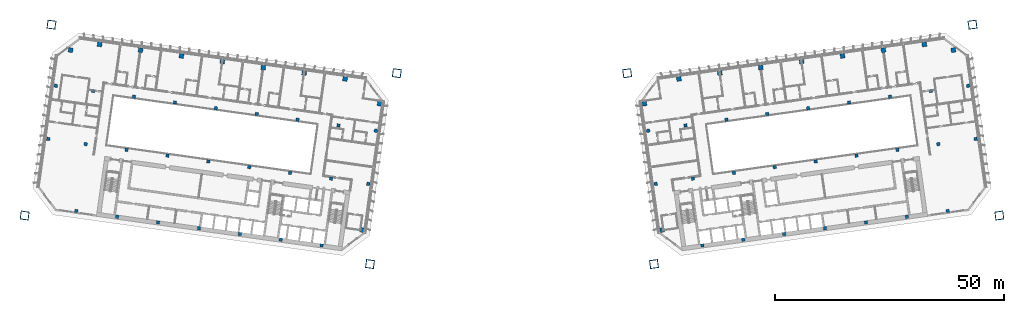
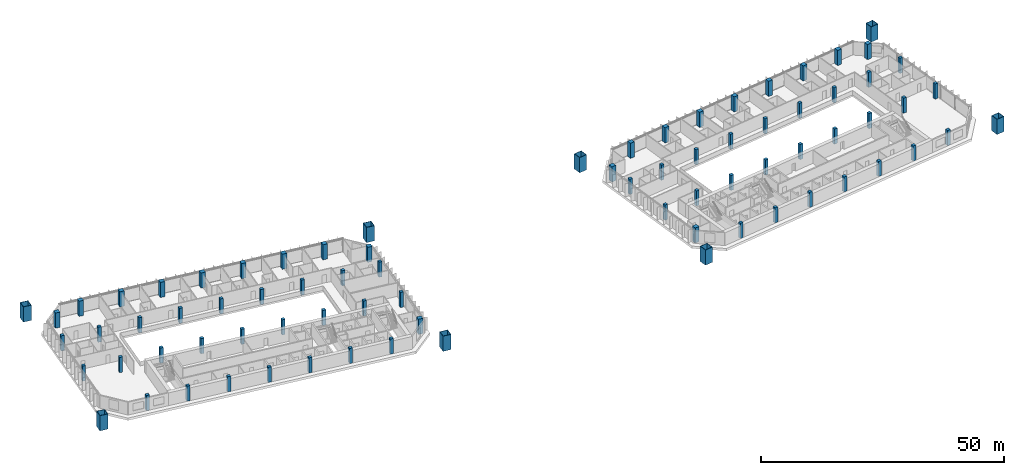
# One storey, part 1 of 24: 78 columns.
"""IFC4 building model written with IfcOpenShell, lengths in metres."""

from ifc_helpers import new_model, si_unit, direction, frame, origin, origin_2d, place, context, subcontext, project, spatial, rectangle, hollow_rectangle, extrude, material, material_profile, profile_set, type_object, element, save


model = new_model("IFC4")

# Units and contexts
model_context = context("Model", 3, precision=1e-05, world=origin(), true_north=direction((0.0, 1.0)))
body_context = subcontext(model_context, "Body", "Model", "MODEL_VIEW")
ifc_project = project(units=[si_unit("LENGTHUNIT", "METRE"), si_unit("AREAUNIT", "SQUARE_METRE"), si_unit("VOLUMEUNIT", "CUBIC_METRE"), si_unit("PLANEANGLEUNIT", "RADIAN"), si_unit("MASSUNIT", "GRAM", prefix="KILO")], contexts=[model_context])

# Site, building, storey
site_placement = place(None, origin())
site = spatial("IfcSite", under=ifc_project, at=site_placement, CompositionType="ELEMENT")
building_placement = place(site_placement, origin())
building = spatial("IfcBuilding", under=site, at=building_placement, Name="Mirante Cascada Hotel Towers", CompositionType="ELEMENT")
storey_placement = place(building_placement, frame((0.0, 0.0, 85.1)))
storey = spatial("IfcBuildingStorey", under=building, at=storey_placement, Name="L18", CompositionType="ELEMENT", Elevation=85.1)

# Columns
ifc_material_1 = material(Name="Steel ASTM A572 Gr 50", Category="steel")
ifc_material_profile_1 = material_profile(ifc_material_1, hollow_rectangle(XDim=1.8, YDim=1.8, WallThickness=0.08, at=origin_2d()), Name="Box column 1800x1800x80 ASTM A572 Gr 50")
ifc_profile_set_1 = profile_set([ifc_material_profile_1], Name="Steel ASTM A572 Gr 50")
column_type_1 = type_object("IfcColumnType", Name="Box column 1800x1800x80 ASTM A572 Gr 50", PredefinedType="COLUMN", material=ifc_profile_set_1)
for number, where, z_axis, x_axis, name in (
    (1, (-25.0968, 18.5173, 0.0), (0.0, 0.0, 1.0), (-0.9902681, 0.1391731, 0.0), "Mega column MC1 T1 L18"),
    (2, (-30.9421, -23.074, 0.0), (0.0, 0.0, 1.0), (-0.9902681, 0.1391731, 0.0), "Mega column MC2 T1 L18"),
    (3, (-100.3572, 29.0944, 0.0), (0.0, 0.0, 1.0), (-0.9902681, 0.1391731, 0.0), "Mega column MC3 T1 L18"),
    (4, (-106.2025, -12.4968, 0.0), (0.0, 0.0, 1.0), (-0.9902681, 0.1391731, 0.0), "Mega column MC4 T1 L18"),
    (5, (25.0968, 18.5173, 0.0), (0.0, 0.0, 1.0), (0.9902681, 0.1391731, 0.0), "Mega column MC1 T2 L18"),
    (6, (30.9421, -23.074, 0.0), (0.0, 0.0, 1.0), (0.9902681, 0.1391731, 0.0), "Mega column MC2 T2 L18"),
    (7, (100.3572, 29.0944, 0.0), (0.0, 0.0, 1.0), (0.9902681, 0.1391731, 0.0), "Mega column MC3 T2 L18"),
    (8, (106.2025, -12.4968, 0.0), (0.0, 0.0, 1.0), (0.9902681, 0.1391731, 0.0), "Mega column MC4 T2 L18"),
):
    element("IfcColumn", number, at=place(storey_placement, frame(where, z_axis=z_axis, x_axis=x_axis)), inside=storey, type_object=column_type_1, Name=name, PredefinedType="COLUMN", context=body_context, shape_type="SweptSolid", body=[
        extrude(hollow_rectangle(XDim=1.8, YDim=1.8, WallThickness=0.08, at=origin_2d()), origin(), (0.0, 0.0, 1.0), 3.8),
    ])
ifc_material_2 = material(Name="Concrete C60/75", Category="concrete")
ifc_material_profile_2 = material_profile(ifc_material_2, rectangle(XDim=1.0, YDim=1.0, at=origin_2d()), Name="RC column 1000x1000 C60/75")
ifc_profile_set_2 = profile_set([ifc_material_profile_2], Name="Concrete C60/75")
column_type_2 = type_object("IfcColumnType", Name="RC column 1000x1000 C60/75", PredefinedType="COLUMN", material=ifc_profile_set_2)
for number, where, z_axis, x_axis, name in (
    (9, (-28.8577, 11.8761, 0.0), (0.0, 0.0, 1.0), (-0.9902681, 0.1391731, 0.0), "Column T1 L18 1"),
    (10, (-32.7267, -15.6534, 0.0), (0.0, 0.0, 1.0), (-0.9902681, 0.1391731, 0.0), "Column T1 L18 4"),
    (11, (-36.3795, 17.2754, 0.0), (0.0, 0.0, 1.0), (-0.9902681, 0.1391731, 0.0), "Column T1 L18 5"),
    (12, (-45.2919, 18.528, 0.0), (0.0, 0.0, 1.0), (-0.9902681, 0.1391731, 0.0), "Column T1 L18 9"),
    (13, (-54.2043, 19.7806, 0.0), (0.0, 0.0, 1.0), (-0.9902681, 0.1391731, 0.0), "Column T1 L18 13"),
    (14, (-63.1167, 21.0331, 0.0), (0.0, 0.0, 1.0), (-0.9902681, 0.1391731, 0.0), "Column T1 L18 17"),
    (15, (-72.0291, 22.2857, 0.0), (0.0, 0.0, 1.0), (-0.9902681, 0.1391731, 0.0), "Column T1 L18 21"),
    (16, (-80.9415, 23.5382, 0.0), (0.0, 0.0, 1.0), (-0.9902681, 0.1391731, 0.0), "Column T1 L18 25"),
    (17, (-89.8539, 24.7908, 0.0), (0.0, 0.0, 1.0), (-0.9902681, 0.1391731, 0.0), "Column T1 L18 29"),
    (18, (-96.1868, 23.5602, 0.0), (0.0, 0.0, 1.0), (-0.9902681, 0.1391731, 0.0), "Column T1 L18 33"),
    (19, (28.8577, 11.8761, 0.0), (0.0, 0.0, 1.0), (0.9902681, 0.1391731, 0.0), "Column T2 L18 1"),
    (20, (32.7267, -15.6534, 0.0), (0.0, 0.0, 1.0), (0.9902681, 0.1391731, 0.0), "Column T2 L18 4"),
    (21, (36.3795, 17.2754, 0.0), (0.0, 0.0, 1.0), (0.9902681, 0.1391731, 0.0), "Column T2 L18 5"),
    (22, (45.2919, 18.528, 0.0), (0.0, 0.0, 1.0), (0.9902681, 0.1391731, 0.0), "Column T2 L18 9"),
    (23, (54.2043, 19.7806, 0.0), (0.0, 0.0, 1.0), (0.9902681, 0.1391731, 0.0), "Column T2 L18 13"),
    (24, (63.1167, 21.0331, 0.0), (0.0, 0.0, 1.0), (0.9902681, 0.1391731, 0.0), "Column T2 L18 17"),
    (25, (72.0291, 22.2857, 0.0), (0.0, 0.0, 1.0), (0.9902681, 0.1391731, 0.0), "Column T2 L18 21"),
    (26, (80.9415, 23.5382, 0.0), (0.0, 0.0, 1.0), (0.9902681, 0.1391731, 0.0), "Column T2 L18 25"),
    (27, (89.8539, 24.7908, 0.0), (0.0, 0.0, 1.0), (0.9902681, 0.1391731, 0.0), "Column T2 L18 29"),
    (28, (96.1868, 23.5602, 0.0), (0.0, 0.0, 1.0), (0.9902681, 0.1391731, 0.0), "Column T2 L18 33"),
):
    element("IfcColumn", number, at=place(storey_placement, frame(where, z_axis=z_axis, x_axis=x_axis)), inside=storey, type_object=column_type_2, Name=name, PredefinedType="COLUMN", context=body_context, shape_type="SweptSolid", body=[
        extrude(rectangle(XDim=1.0, YDim=1.0, at=origin_2d()), origin(), (0.0, 0.0, 1.0), 3.8),
    ])
ifc_material_3 = material(Name="Concrete C60/75", Category="concrete")
ifc_material_profile_3 = material_profile(ifc_material_3, rectangle(XDim=0.7, YDim=0.7, at=origin_2d()), Name="RC column 700x700 C60/75")
ifc_profile_set_3 = profile_set([ifc_material_profile_3], Name="Concrete C60/75")
column_type_3 = type_object("IfcColumnType", Name="RC column 700x700 C60/75", PredefinedType="COLUMN", material=ifc_profile_set_3)
for number, where, z_axis, x_axis, name in (
    (29, (-29.6858, 5.984, 0.0), (0.0, 0.0, 1.0), (-0.9902681, 0.1391731, 0.0), "Column T1 L18 2"),
    (30, (-31.3141, -5.6022, 0.0), (0.0, 0.0, 1.0), (-0.9902681, 0.1391731, 0.0), "Column T1 L18 3"),
    (31, (-37.806, 7.1252, 0.0), (0.0, 0.0, 1.0), (-0.9902681, 0.1391731, 0.0), "Column T1 L18 6"),
    (32, (-39.4343, -4.4609, 0.0), (0.0, 0.0, 1.0), (-0.9902681, 0.1391731, 0.0), "Column T1 L18 7"),
    (33, (-41.4802, -19.0179, 0.0), (0.0, 0.0, 1.0), (-0.9902681, 0.1391731, 0.0), "Column T1 L18 8"),
    (34, (-46.7184, 8.3777, 0.0), (0.0, 0.0, 1.0), (-0.9902681, 0.1391731, 0.0), "Column T1 L18 10"),
    (35, (-48.3467, -3.2084, 0.0), (0.0, 0.0, 1.0), (-0.9902681, 0.1391731, 0.0), "Column T1 L18 11"),
    (36, (-50.3926, -17.7653, 0.0), (0.0, 0.0, 1.0), (-0.9902681, 0.1391731, 0.0), "Column T1 L18 12"),
    (37, (-55.6308, 9.6303, 0.0), (0.0, 0.0, 1.0), (-0.9902681, 0.1391731, 0.0), "Column T1 L18 14"),
    (38, (-57.2591, -1.9558, 0.0), (0.0, 0.0, 1.0), (-0.9902681, 0.1391731, 0.0), "Column T1 L18 15"),
    (39, (-59.305, -16.5128, 0.0), (0.0, 0.0, 1.0), (-0.9902681, 0.1391731, 0.0), "Column T1 L18 16"),
    (40, (-64.5432, 10.8829, 0.0), (0.0, 0.0, 1.0), (-0.9902681, 0.1391731, 0.0), "Column T1 L18 18"),
    (41, (-66.1716, -0.7033, 0.0), (0.0, 0.0, 1.0), (-0.9902681, 0.1391731, 0.0), "Column T1 L18 19"),
    (42, (-68.2174, -15.2602, 0.0), (0.0, 0.0, 1.0), (-0.9902681, 0.1391731, 0.0), "Column T1 L18 20"),
    (43, (-73.4556, 12.1354, 0.0), (0.0, 0.0, 1.0), (-0.9902681, 0.1391731, 0.0), "Column T1 L18 22"),
    (44, (-75.084, 0.5493, 0.0), (0.0, 0.0, 1.0), (-0.9902681, 0.1391731, 0.0), "Column T1 L18 23"),
    (45, (-77.1298, -14.0077, 0.0), (0.0, 0.0, 1.0), (-0.9902681, 0.1391731, 0.0), "Column T1 L18 24"),
    (46, (-82.368, 13.388, 0.0), (0.0, 0.0, 1.0), (-0.9902681, 0.1391731, 0.0), "Column T1 L18 26"),
    (47, (-83.9964, 1.8018, 0.0), (0.0, 0.0, 1.0), (-0.9902681, 0.1391731, 0.0), "Column T1 L18 27"),
    (48, (-86.0422, -12.7551, 0.0), (0.0, 0.0, 1.0), (-0.9902681, 0.1391731, 0.0), "Column T1 L18 28"),
    (49, (-91.2805, 14.6405, 0.0), (0.0, 0.0, 1.0), (-0.9902681, 0.1391731, 0.0), "Column T1 L18 30"),
    (50, (-92.9088, 3.0544, 0.0), (0.0, 0.0, 1.0), (-0.9902681, 0.1391731, 0.0), "Column T1 L18 31"),
    (51, (-94.9546, -11.5025, 0.0), (0.0, 0.0, 1.0), (-0.9902681, 0.1391731, 0.0), "Column T1 L18 32"),
    (52, (-99.4007, 15.7818, 0.0), (0.0, 0.0, 1.0), (-0.9902681, 0.1391731, 0.0), "Column T1 L18 34"),
    (53, (-101.029, 4.1956, 0.0), (0.0, 0.0, 1.0), (-0.9902681, 0.1391731, 0.0), "Column T1 L18 35"),
    (54, (29.6858, 5.984, 0.0), (0.0, 0.0, 1.0), (0.9902681, 0.1391731, 0.0), "Column T2 L18 2"),
    (55, (31.3141, -5.6022, 0.0), (0.0, 0.0, 1.0), (0.9902681, 0.1391731, 0.0), "Column T2 L18 3"),
    (56, (37.806, 7.1252, 0.0), (0.0, 0.0, 1.0), (0.9902681, 0.1391731, 0.0), "Column T2 L18 6"),
    (57, (39.4343, -4.4609, 0.0), (0.0, 0.0, 1.0), (0.9902681, 0.1391731, 0.0), "Column T2 L18 7"),
    (58, (41.4802, -19.0179, 0.0), (0.0, 0.0, 1.0), (0.9902681, 0.1391731, 0.0), "Column T2 L18 8"),
    (59, (46.7184, 8.3777, 0.0), (0.0, 0.0, 1.0), (0.9902681, 0.1391731, 0.0), "Column T2 L18 10"),
    (60, (48.3467, -3.2084, 0.0), (0.0, 0.0, 1.0), (0.9902681, 0.1391731, 0.0), "Column T2 L18 11"),
    (61, (50.3926, -17.7653, 0.0), (0.0, 0.0, 1.0), (0.9902681, 0.1391731, 0.0), "Column T2 L18 12"),
    (62, (55.6308, 9.6303, 0.0), (0.0, 0.0, 1.0), (0.9902681, 0.1391731, 0.0), "Column T2 L18 14"),
    (63, (57.2591, -1.9558, 0.0), (0.0, 0.0, 1.0), (0.9902681, 0.1391731, 0.0), "Column T2 L18 15"),
    (64, (59.305, -16.5128, 0.0), (0.0, 0.0, 1.0), (0.9902681, 0.1391731, 0.0), "Column T2 L18 16"),
    (65, (64.5432, 10.8829, 0.0), (0.0, 0.0, 1.0), (0.9902681, 0.1391731, 0.0), "Column T2 L18 18"),
    (66, (66.1716, -0.7033, 0.0), (0.0, 0.0, 1.0), (0.9902681, 0.1391731, 0.0), "Column T2 L18 19"),
    (67, (68.2174, -15.2602, 0.0), (0.0, 0.0, 1.0), (0.9902681, 0.1391731, 0.0), "Column T2 L18 20"),
    (68, (73.4556, 12.1354, 0.0), (0.0, 0.0, 1.0), (0.9902681, 0.1391731, 0.0), "Column T2 L18 22"),
    (69, (75.084, 0.5493, 0.0), (0.0, 0.0, 1.0), (0.9902681, 0.1391731, 0.0), "Column T2 L18 23"),
    (70, (77.1298, -14.0077, 0.0), (0.0, 0.0, 1.0), (0.9902681, 0.1391731, 0.0), "Column T2 L18 24"),
    (71, (82.368, 13.388, 0.0), (0.0, 0.0, 1.0), (0.9902681, 0.1391731, 0.0), "Column T2 L18 26"),
    (72, (83.9964, 1.8018, 0.0), (0.0, 0.0, 1.0), (0.9902681, 0.1391731, 0.0), "Column T2 L18 27"),
    (73, (86.0422, -12.7551, 0.0), (0.0, 0.0, 1.0), (0.9902681, 0.1391731, 0.0), "Column T2 L18 28"),
    (74, (91.2805, 14.6405, 0.0), (0.0, 0.0, 1.0), (0.9902681, 0.1391731, 0.0), "Column T2 L18 30"),
    (75, (92.9088, 3.0544, 0.0), (0.0, 0.0, 1.0), (0.9902681, 0.1391731, 0.0), "Column T2 L18 31"),
    (76, (94.9546, -11.5025, 0.0), (0.0, 0.0, 1.0), (0.9902681, 0.1391731, 0.0), "Column T2 L18 32"),
    (77, (99.4007, 15.7818, 0.0), (0.0, 0.0, 1.0), (0.9902681, 0.1391731, 0.0), "Column T2 L18 34"),
    (78, (101.029, 4.1956, 0.0), (0.0, 0.0, 1.0), (0.9902681, 0.1391731, 0.0), "Column T2 L18 35"),
):
    element("IfcColumn", number, at=place(storey_placement, frame(where, z_axis=z_axis, x_axis=x_axis)), inside=storey, type_object=column_type_3, Name=name, PredefinedType="COLUMN", context=body_context, shape_type="SweptSolid", body=[
        extrude(rectangle(XDim=0.7, YDim=0.7, at=origin_2d()), origin(), (0.0, 0.0, 1.0), 3.8),
    ])

save(model, "model.ifc")
